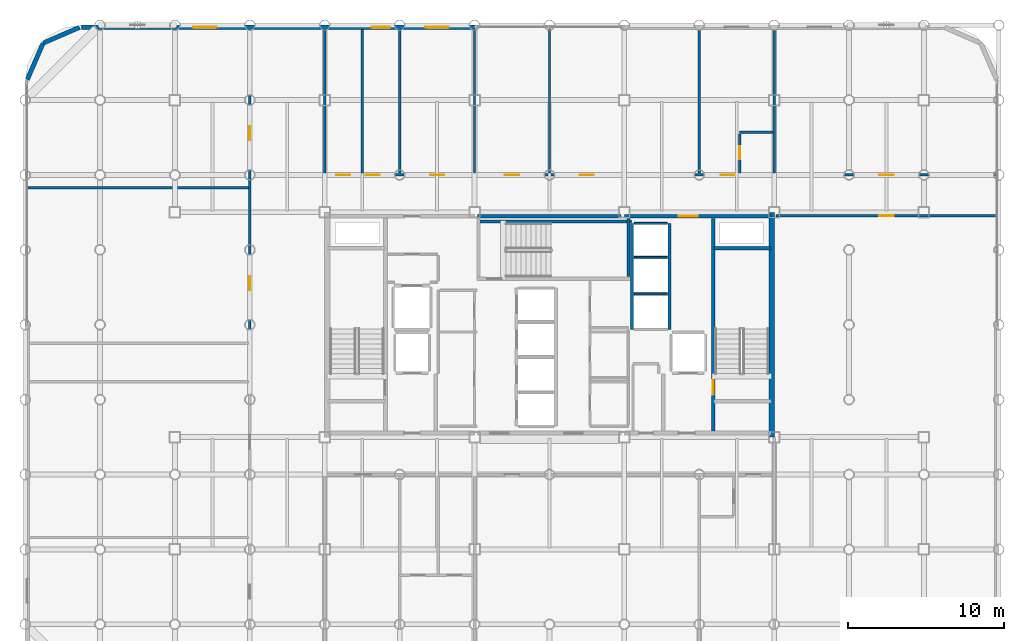
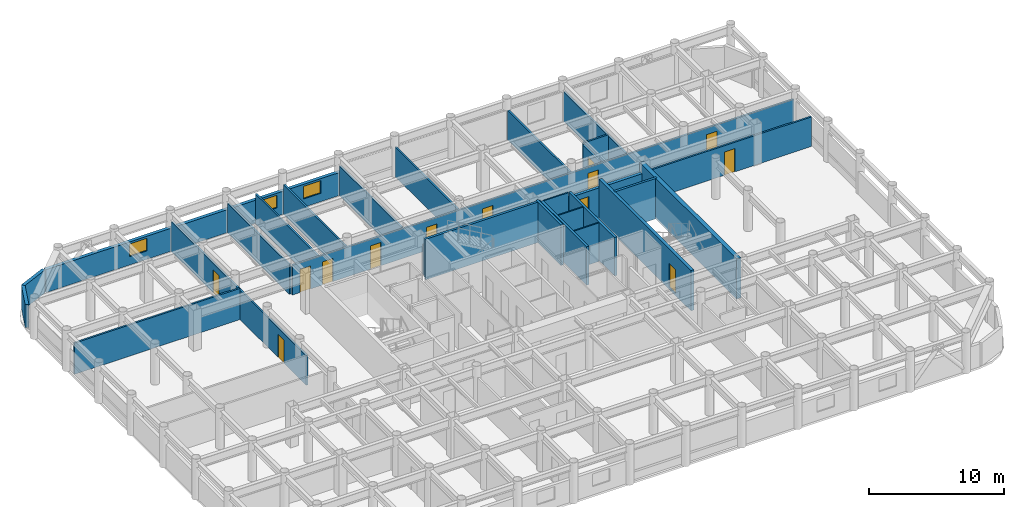
# One storey, part 18 of 20: 28 walls, 13 doors, 3 windows, 16 openings.
"""IFC4 building model written with IfcOpenShell, lengths in metres."""

from ifc_helpers import new_model, si_unit, direction, frame, frame_2d, origin, place, context, subcontext, project, spatial, rectangle, extrude, material, layer, layer_set, type_object, element, fill, save


model = new_model("IFC4")

# Units and contexts
model_context = context("Model", 3, precision=1e-05, world=origin(), true_north=direction((0.0, 1.0)))
body_context = subcontext(model_context, "Body", "Model", "MODEL_VIEW")
ifc_project = project(units=[si_unit("LENGTHUNIT", "METRE"), si_unit("AREAUNIT", "SQUARE_METRE"), si_unit("VOLUMEUNIT", "CUBIC_METRE"), si_unit("PLANEANGLEUNIT", "RADIAN"), si_unit("MASSUNIT", "GRAM", prefix="KILO")], contexts=[model_context])

# Site, building, storey
site_placement = place(None, origin())
site = spatial("IfcSite", under=ifc_project, at=site_placement, CompositionType="ELEMENT")
building_placement = place(site_placement, origin())
building = spatial("IfcBuilding", under=site, at=building_placement, Name="Kallvorn Hotel Tower", CompositionType="ELEMENT")
storey_placement = place(building_placement, frame((0.0, 0.0, 176.60009765625)))
storey = spatial("IfcBuildingStorey", under=building, at=storey_placement, Name="L44", CompositionType="ELEMENT", Elevation=176.60009765625)

# Wall
ifc_material_1 = material(Name="Concrete C50/60", Category="concrete")
ifc_layer_1 = layer(ifc_material_1, 0.35009765625)
ifc_layer_set_1 = layer_set([ifc_layer_1], Name="WL_CORE_350")
wall_type_1 = type_object("IfcWallType", Name="WL_CORE_350", PredefinedType="SHEAR", material=ifc_layer_set_1)
wall_1_placement = place(storey_placement, frame((14.239990234375, -7.199951171875, -0.18017578125), z_axis=(0.0, 0.0, 1.0), x_axis=(0.0, 1.0, 0.0)))
element("IfcWall", 1, at=wall_1_placement, inside=storey, type_object=wall_type_1, Name="L44 Core East Shear Wall", PredefinedType="SHEAR", context=body_context, shape_type="SweptSolid", body=[
    extrude(rectangle(XDim=14.39990234375, YDim=0.35009765625, at=frame_2d((7.199951171875, 0.0))), origin(), (0.0, 0.0, 1.0), 3.66015625),
])

# Wall, openings, doors
ifc_material_2 = material(Name="Fire-rated double-layer acoustic gypsum drywall EI 60")
ifc_layer_2 = layer(ifc_material_2, 0.159912109375)
ifc_layer_set_2 = layer_set([ifc_layer_2], Name="WL_DEMISE_160")
wall_type_2 = type_object("IfcWallType", Name="WL_DEMISE_160", PredefinedType="PARTITIONING", material=ifc_layer_set_2)
wall_2_placement = place(storey_placement, frame((-14.320068359375, 9.60009765625, 0.0), z_axis=(0.0, 0.0, 1.0), x_axis=(1.0, 0.0, 0.0)))
wall_2 = element("IfcWall", 2, at=wall_2_placement, inside=storey, type_object=wall_type_2, Name="L44 Suite 4403 Standard Twin Room Partition", PredefinedType="PARTITIONING", context=body_context, shape_type="SweptSolid", body=[
    extrude(rectangle(XDim=42.949951171875, YDim=0.159912109375, at=frame_2d((21.47509765625, 0.0))), origin(), (0.0, 0.0, 1.0), 2.679931640625),
])
opening_1_placement = place(wall_2_placement, frame((35.469970703125, 0.0, 0.0)))
opening_1 = element("IfcOpeningElement", 3, at=opening_1_placement, cuts=wall_2, Name="Opening SVD1", PredefinedType="OPENING", context=body_context, shape_type="SweptSolid", body=[
    extrude(rectangle(XDim=0.89990234375, YDim=2.10009765625, at=frame_2d((0.449951171875, 1.050048828125))), frame((0.0, 0.094970703125, 0.0), z_axis=(0.0, -1.0, 0.0), x_axis=(1.0, 0.0, 0.0)), (0.0, 0.0, 1.0), 0.18994140625),
])
opening_2_placement = place(wall_2_placement, frame((0.669921875, 0.0, 0.0)))
opening_2 = element("IfcOpeningElement", 4, at=opening_2_placement, cuts=wall_2, Name="Opening SVD1", PredefinedType="OPENING", context=body_context, shape_type="SweptSolid", body=[
    extrude(rectangle(XDim=0.89990234375, YDim=2.10009765625, at=frame_2d((0.449951171875, 1.050048828125))), frame((0.0, 0.094970703125, 0.0), z_axis=(0.0, -1.0, 0.0), x_axis=(1.0, 0.0, 0.0)), (0.0, 0.0, 1.0), 0.18994140625),
])
opening_3_placement = place(wall_2_placement, frame((2.56005859375, 0.0, 0.0)))
opening_3 = element("IfcOpeningElement", 5, at=opening_3_placement, cuts=wall_2, Name="Opening SVD1", PredefinedType="OPENING", context=body_context, shape_type="SweptSolid", body=[
    extrude(rectangle(XDim=0.89990234375, YDim=2.10009765625, at=frame_2d((0.449951171875, 1.050048828125))), frame((0.0, 0.094970703125, 0.0), z_axis=(0.0, -1.0, 0.0), x_axis=(1.0, 0.0, 0.0)), (0.0, 0.0, 1.0), 0.18994140625),
])
opening_4_placement = place(wall_2_placement, frame((6.669921875, 0.0, 0.0)))
opening_4 = element("IfcOpeningElement", 6, at=opening_4_placement, cuts=wall_2, Name="Opening SVD1", PredefinedType="OPENING", context=body_context, shape_type="SweptSolid", body=[
    extrude(rectangle(XDim=0.89990234375, YDim=2.10009765625, at=frame_2d((0.449951171875, 1.050048828125))), frame((0.0, 0.094970703125, 0.0), z_axis=(0.0, -1.0, 0.0), x_axis=(1.0, 0.0, 0.0)), (0.0, 0.0, 1.0), 0.18994140625),
])
opening_5_placement = place(wall_2_placement, frame((11.469970703125, 0.0, 0.0)))
opening_5 = element("IfcOpeningElement", 7, at=opening_5_placement, cuts=wall_2, Name="Opening SVD1", PredefinedType="OPENING", context=body_context, shape_type="SweptSolid", body=[
    extrude(rectangle(XDim=0.89990234375, YDim=2.10009765625, at=frame_2d((0.449951171875, 1.050048828125))), frame((0.0, 0.094970703125, 0.0), z_axis=(0.0, -1.0, 0.0), x_axis=(1.0, 0.0, 0.0)), (0.0, 0.0, 1.0), 0.18994140625),
])
opening_6_placement = place(wall_2_placement, frame((16.27001953125, 0.0, 0.0)))
opening_6 = element("IfcOpeningElement", 8, at=opening_6_placement, cuts=wall_2, Name="Opening SVD1", PredefinedType="OPENING", context=body_context, shape_type="SweptSolid", body=[
    extrude(rectangle(XDim=0.89990234375, YDim=2.10009765625, at=frame_2d((0.449951171875, 1.050048828125))), frame((0.0, 0.094970703125, 0.0), z_axis=(0.0, -1.0, 0.0), x_axis=(1.0, 0.0, 0.0)), (0.0, 0.0, 1.0), 0.18994140625),
])
opening_7_placement = place(wall_2_placement, frame((25.2900390625, 0.0, 0.0)))
opening_7 = element("IfcOpeningElement", 9, at=opening_7_placement, cuts=wall_2, Name="Opening GD1", PredefinedType="OPENING", context=body_context, shape_type="SweptSolid", body=[
    extrude(rectangle(XDim=0.919921875, YDim=2.14990234375, at=frame_2d((0.4599609375, 1.074951171875))), frame((0.0, 0.094970703125, 0.0), z_axis=(0.0, -1.0, 0.0), x_axis=(1.0, 0.0, 0.0)), (0.0, 0.0, 1.0), 0.18994140625),
])
ifc_material_3 = material(Name="Solid-core walnut veneer fire-rated timber door leaf", Category="wood")
door_type_1 = type_object("IfcDoorType", Name="DR_GUEST_920x2150", OperationType="NOTDEFINED", PredefinedType="DOOR", material=ifc_material_3)
door_1_placement = place(opening_7_placement, origin())
door_1 = element("IfcDoor", 10, at=door_1_placement, inside=storey, type_object=door_type_1, Name="L44 Suite 4403 Standard Twin Room Door", OperationType="SINGLE_SWING_LEFT", OverallHeight=2.14990234375, OverallWidth=0.919921875, PredefinedType="DOOR", context=body_context, shape_type="SweptSolid", body=[
    extrude(rectangle(XDim=0.919921875, YDim=2.14990234375, at=frame_2d((0.4599609375, 1.074951171875))), frame((0.0, 0.02490234375, 0.0), z_axis=(0.0, -1.0, 0.0), x_axis=(1.0, 0.0, 0.0)), (0.0, 0.0, 1.0), 0.050048828125),
])
fill(opening_7, door_1)
ifc_material_4 = material(Name="Galvanised painted steel fire-rated door assembly", Category="steel")
door_type_2 = type_object("IfcDoorType", Name="DR_SERV_900x2100", OperationType="NOTDEFINED", PredefinedType="DOOR", material=ifc_material_4)
door_2_placement = place(opening_1_placement, origin())
door_2 = element("IfcDoor", 11, at=door_2_placement, inside=storey, type_object=door_type_2, Name="L44 L44 North-East Monserrate Banquet Hall Door", OperationType="SINGLE_SWING_LEFT", OverallHeight=2.10009765625, OverallWidth=0.89990234375, PredefinedType="DOOR", context=body_context, shape_type="SweptSolid", body=[
    extrude(rectangle(XDim=0.89990234375, YDim=2.10009765625, at=frame_2d((0.449951171875, 1.050048828125))), frame((0.0, 0.02490234375, 0.0), z_axis=(0.0, -1.0, 0.0), x_axis=(1.0, 0.0, 0.0)), (0.0, 0.0, 1.0), 0.050048828125),
])
fill(opening_1, door_2)
door_3_placement = place(opening_2_placement, origin())
door_3 = element("IfcDoor", 12, at=door_3_placement, inside=storey, type_object=door_type_2, Name="L44 Housekeeping and Linen Room Door", OperationType="SINGLE_SWING_RIGHT", OverallHeight=2.10009765625, OverallWidth=0.89990234375, PredefinedType="DOOR", context=body_context, shape_type="SweptSolid", body=[
    extrude(rectangle(XDim=0.89990234375, YDim=2.10009765625, at=frame_2d((0.449951171875, 1.050048828125))), frame((0.0, 0.02490234375, 0.0), z_axis=(0.0, -1.0, 0.0), x_axis=(1.0, 0.0, 0.0)), (0.0, 0.0, 1.0), 0.050048828125),
])
fill(opening_2, door_3)
door_4_placement = place(opening_3_placement, origin())
door_4 = element("IfcDoor", 13, at=door_4_placement, inside=storey, type_object=door_type_2, Name="L44 Guest Tea and Refreshment Bar Door", OperationType="SINGLE_SWING_RIGHT", OverallHeight=2.10009765625, OverallWidth=0.89990234375, PredefinedType="DOOR", context=body_context, shape_type="SweptSolid", body=[
    extrude(rectangle(XDim=0.89990234375, YDim=2.10009765625, at=frame_2d((0.449951171875, 1.050048828125))), frame((0.0, 0.02490234375, 0.0), z_axis=(0.0, -1.0, 0.0), x_axis=(1.0, 0.0, 0.0)), (0.0, 0.0, 1.0), 0.050048828125),
])
fill(opening_3, door_4)
door_5_placement = place(opening_4_placement, origin())
door_5 = element("IfcDoor", 14, at=door_5_placement, inside=storey, type_object=door_type_2, Name="L44 L44 Restaurant Culinary Catering Kitchen 2-1 Door", OperationType="SINGLE_SWING_RIGHT", OverallHeight=2.10009765625, OverallWidth=0.89990234375, PredefinedType="DOOR", context=body_context, shape_type="SweptSolid", body=[
    extrude(rectangle(XDim=0.89990234375, YDim=2.10009765625, at=frame_2d((0.449951171875, 1.050048828125))), frame((0.0, 0.02490234375, 0.0), z_axis=(0.0, -1.0, 0.0), x_axis=(1.0, 0.0, 0.0)), (0.0, 0.0, 1.0), 0.050048828125),
])
fill(opening_4, door_5)
door_6_placement = place(opening_5_placement, origin())
door_6 = element("IfcDoor", 15, at=door_6_placement, inside=storey, type_object=door_type_2, Name="L44 L44 Restaurant Culinary Catering Kitchen 2-2 Door", OperationType="SINGLE_SWING_RIGHT", OverallHeight=2.10009765625, OverallWidth=0.89990234375, PredefinedType="DOOR", context=body_context, shape_type="SweptSolid", body=[
    extrude(rectangle(XDim=0.89990234375, YDim=2.10009765625, at=frame_2d((0.449951171875, 1.050048828125))), frame((0.0, 0.02490234375, 0.0), z_axis=(0.0, -1.0, 0.0), x_axis=(1.0, 0.0, 0.0)), (0.0, 0.0, 1.0), 0.050048828125),
])
fill(opening_5, door_6)
door_7_placement = place(opening_6_placement, origin())
door_7 = element("IfcDoor", 16, at=door_7_placement, inside=storey, type_object=door_type_2, Name="L44 L44 Curated Emerald Craft Retail Boutique 3 Door", OperationType="SINGLE_SWING_RIGHT", OverallHeight=2.10009765625, OverallWidth=0.89990234375, PredefinedType="DOOR", context=body_context, shape_type="SweptSolid", body=[
    extrude(rectangle(XDim=0.89990234375, YDim=2.10009765625, at=frame_2d((0.449951171875, 1.050048828125))), frame((0.0, 0.02490234375, 0.0), z_axis=(0.0, -1.0, 0.0), x_axis=(1.0, 0.0, 0.0)), (0.0, 0.0, 1.0), 0.050048828125),
])
fill(opening_6, door_7)

# Walls
wall_3_placement = place(storey_placement, frame((12.18994140625, 12.320068359375, 0.0), z_axis=(0.0, 0.0, 1.0), x_axis=(1.0, 0.0, 0.0)))
element("IfcWall", 17, at=wall_3_placement, inside=storey, type_object=wall_type_2, Name="L44 Suite 4403 Standard Twin Room Partition", PredefinedType="PARTITIONING", context=body_context, shape_type="SweptSolid", body=[
    extrude(rectangle(XDim=2.130126953125, YDim=0.159912109375, at=frame_2d((1.06494140625, 0.0))), origin(), (0.0, 0.0, 1.0), 2.829833984375),
])
wall_4_placement = place(storey_placement, frame((9.60009765625, 9.719970703125, 0.0), z_axis=(0.0, 0.0, 1.0), x_axis=(0.0, 1.0, 0.0)))
element("IfcWall", 18, at=wall_4_placement, inside=storey, type_object=wall_type_2, Name="L44 Suite 4403 Standard Twin Room Partition", PredefinedType="PARTITIONING", context=body_context, shape_type="SweptSolid", body=[
    extrude(rectangle(XDim=9.18994140625, YDim=0.159912109375, at=frame_2d((4.594970703125, 0.0))), origin(), (0.0, 0.0, 1.0), 2.679931640625),
])

# Wall, opening, door
wall_5_placement = place(storey_placement, frame((12.18994140625, 9.719970703125, 0.0), z_axis=(0.0, 0.0, 1.0), x_axis=(0.0, 1.0, 0.0)))
wall_5 = element("IfcWall", 19, at=wall_5_placement, inside=storey, type_object=wall_type_2, Name="L44 Suite 4403 Standard Twin Room Partition", PredefinedType="PARTITIONING", context=body_context, shape_type="SweptSolid", body=[
    extrude(rectangle(XDim=2.51513671875, YDim=0.159912109375, at=frame_2d((1.257568359375, 0.0))), origin(), (0.0, 0.0, 1.0), 2.679931640625),
])
opening_8_placement = place(wall_5_placement, frame((0.8701171875, 0.0, 0.0)))
opening_8 = element("IfcOpeningElement", 20, at=opening_8_placement, cuts=wall_5, Name="Opening BD-I", PredefinedType="OPENING", context=body_context, shape_type="SweptSolid", body=[
    extrude(rectangle(XDim=0.860107421875, YDim=2.10009765625, at=frame_2d((0.43017578125, 1.050048828125))), frame((0.0, 0.094970703125, 0.0), z_axis=(0.0, -1.0, 0.0), x_axis=(1.0, 0.0, 0.0)), (0.0, 0.0, 1.0), 0.18994140625),
])
ifc_material_5 = material(Name="Solid-core walnut veneer fire-rated timber door leaf", Category="wood")
door_type_3 = type_object("IfcDoorType", Name="DR_BATH_860x2100", OperationType="NOTDEFINED", PredefinedType="DOOR", material=ifc_material_5)
door_8_placement = place(opening_8_placement, origin())
door_8 = element("IfcDoor", 21, at=door_8_placement, inside=storey, type_object=door_type_3, Name="L44 Suite 4403 En-Suite Bathroom Door", OperationType="SINGLE_SWING_LEFT", OverallHeight=2.10009765625, OverallWidth=0.860107421875, PredefinedType="DOOR", context=body_context, shape_type="SweptSolid", body=[
    extrude(rectangle(XDim=0.860107421875, YDim=2.10009765625, at=frame_2d((0.43017578125, 1.050048828125))), frame((0.0, 0.02490234375, 0.0), z_axis=(0.0, -1.0, 0.0), x_axis=(1.0, 0.0, 0.0)), (0.0, 0.0, 1.0), 0.050048828125),
])
fill(opening_8, door_8)

# Walls
wall_6_placement = place(storey_placement, frame((14.39990234375, 9.719970703125, 0.0), z_axis=(0.0, 0.0, 1.0), x_axis=(0.0, 1.0, 0.0)))
element("IfcWall", 22, at=wall_6_placement, inside=storey, type_object=wall_type_2, Name="L44 Suite 4403 Standard Twin Room Partition", PredefinedType="PARTITIONING", context=body_context, shape_type="SweptSolid", body=[
    extrude(rectangle(XDim=9.18994140625, YDim=0.159912109375, at=frame_2d((4.594970703125, 0.0))), origin(), (0.0, 0.0, 1.0), 2.679931640625),
])
ifc_material_6 = material(Name="Precast basalt-clad insulated concrete wall C40/50", Category="masonry")
ifc_layer_3 = layer(ifc_material_6, 0.280029296875)
ifc_layer_set_3 = layer_set([ifc_layer_3], Name="WL_EXT_LOGGIA_280")
wall_type_3 = type_object("IfcWallType", Name="WL_EXT_LOGGIA_280", PredefinedType="SOLIDWALL", material=ifc_layer_set_3)
wall_7_placement = place(storey_placement, frame((-30.120849609375, 19.057861328125, 0.0), z_axis=(0.0, 0.0, 1.0), x_axis=(-0.917060872934, -0.398747232384, 0.0)))
element("IfcWall", 23, at=wall_7_placement, inside=storey, type_object=wall_type_3, Name="L44 Rounded Corner Exterior Wall NW1", PredefinedType="SOLIDWALL", context=body_context, shape_type="SweptSolid", body=[
    extrude(rectangle(XDim=2.5361328125, YDim=0.280029296875, at=frame_2d((1.26806640625, 0.0))), origin(), (0.0, 0.0, 1.0), 2.079833984375),
])
wall_8_placement = place(storey_placement, frame((-32.446533203125, 18.046630859375, 0.0), z_axis=(0.0, 0.0, 1.0), x_axis=(-0.398792985289, -0.917040977756, 0.0)))
element("IfcWall", 24, at=wall_8_placement, inside=storey, type_object=wall_type_3, Name="L44 Rounded Corner Exterior Wall NW2", PredefinedType="SOLIDWALL", context=body_context, shape_type="SweptSolid", body=[
    extrude(rectangle(XDim=2.536376953125, YDim=0.280029296875, at=frame_2d((1.26806640625, 0.0))), origin(), (0.0, 0.0, 1.0), 2.079833984375),
])

# Wall, openings, windows
wall_9_placement = place(storey_placement, frame((-30.0, 19.06005859375, 0.0), z_axis=(0.0, 0.0, 1.0), x_axis=(1.0, 0.0, 0.0)))
wall_9 = element("IfcWall", 25, at=wall_9_placement, inside=storey, type_object=wall_type_3, Name="L44 Exterior Envelope Wall EW-L44-NW", PredefinedType="SOLIDWALL", context=body_context, shape_type="SweptSolid", body=[
    extrude(rectangle(XDim=25.25, YDim=0.280029296875, at=frame_2d((12.625, 0.0))), origin(), (0.0, 0.0, 1.0), 2.079833984375),
])
opening_9_placement = place(wall_9_placement, frame((7.1630859375, 0.0, 0.75)))
opening_9 = element("IfcOpeningElement", 26, at=opening_9_placement, cuts=wall_9, Name="Opening W05A", PredefinedType="OPENING", context=body_context, shape_type="SweptSolid", body=[
    extrude(rectangle(XDim=1.5, YDim=1.14990234375, at=frame_2d((0.75, 0.574951171875))), frame((0.0, 0.155029296875, 0.0), z_axis=(0.0, -1.0, 0.0), x_axis=(1.0, 0.0, 0.0)), (0.0, 0.0, 1.0), 0.31005859375),
])
opening_10_placement = place(wall_9_placement, frame((18.60009765625, 0.0, 0.75)))
opening_10 = element("IfcOpeningElement", 27, at=opening_10_placement, cuts=wall_9, Name="Opening W06A", PredefinedType="OPENING", context=body_context, shape_type="SweptSolid", body=[
    extrude(rectangle(XDim=1.199951171875, YDim=1.14990234375, at=frame_2d((0.60009765625, 0.574951171875))), frame((0.0, 0.155029296875, 0.0), z_axis=(0.0, -1.0, 0.0), x_axis=(1.0, 0.0, 0.0)), (0.0, 0.0, 1.0), 0.31005859375),
])
opening_11_placement = place(wall_9_placement, frame((22.050048828125, 0.0, 0.75)))
opening_11 = element("IfcOpeningElement", 28, at=opening_11_placement, cuts=wall_9, Name="Opening W05A", PredefinedType="OPENING", context=body_context, shape_type="SweptSolid", body=[
    extrude(rectangle(XDim=1.5, YDim=1.14990234375, at=frame_2d((0.75, 0.574951171875))), frame((0.0, 0.155029296875, 0.0), z_axis=(0.0, -1.0, 0.0), x_axis=(1.0, 0.0, 0.0)), (0.0, 0.0, 1.0), 0.31005859375),
])
ifc_material_7 = material(Name="Triple-glazed low-e acoustic solar-control dark glass", Category="glass")
window_type_1 = type_object("IfcWindowType", Name="WN_HTL_1200x1150", PartitioningType="SINGLE_PANEL", PredefinedType="WINDOW", material=ifc_material_7)
window_1_placement = place(opening_10_placement, origin())
window_1 = element("IfcWindow", 29, at=window_1_placement, inside=storey, type_object=window_type_1, Name="L44 Guestroom Exterior Window 09", OverallHeight=1.14990234375, OverallWidth=1.199951171875, PartitioningType="SINGLE_PANEL", PredefinedType="WINDOW", context=body_context, shape_type="SweptSolid", body=[
    extrude(rectangle(XDim=1.199951171875, YDim=1.14990234375, at=frame_2d((0.60009765625, 0.574951171875))), frame((0.0, 0.030029296875, 0.0), z_axis=(0.0, -1.0, 0.0), x_axis=(1.0, 0.0, 0.0)), (0.0, 0.0, 1.0), 0.06005859375),
])
fill(opening_10, window_1)
ifc_material_8 = material(Name="Double-glazed low-e solar-control dark glass", Category="glass")
window_type_2 = type_object("IfcWindowType", Name="WN_HTL_1500x1150", PartitioningType="SINGLE_PANEL", PredefinedType="WINDOW", material=ifc_material_8)
window_2_placement = place(opening_9_placement, origin())
window_2 = element("IfcWindow", 30, at=window_2_placement, inside=storey, type_object=window_type_2, Name="L44 Guestroom Exterior Window 03", OverallHeight=1.14990234375, OverallWidth=1.5, PartitioningType="SINGLE_PANEL", PredefinedType="WINDOW", context=body_context, shape_type="SweptSolid", body=[
    extrude(rectangle(XDim=1.5, YDim=1.14990234375, at=frame_2d((0.75, 0.574951171875))), frame((0.0, 0.030029296875, 0.0), z_axis=(0.0, -1.0, 0.0), x_axis=(1.0, 0.0, 0.0)), (0.0, 0.0, 1.0), 0.06005859375),
])
fill(opening_9, window_2)
window_3_placement = place(opening_11_placement, origin())
window_3 = element("IfcWindow", 31, at=window_3_placement, inside=storey, type_object=window_type_2, Name="L44 Guestroom Exterior Window 10", OverallHeight=1.14990234375, OverallWidth=1.5, PartitioningType="SINGLE_PANEL", PredefinedType="WINDOW", context=body_context, shape_type="SweptSolid", body=[
    extrude(rectangle(XDim=1.5, YDim=1.14990234375, at=frame_2d((0.75, 0.574951171875))), frame((0.0, 0.030029296875, 0.0), z_axis=(0.0, -1.0, 0.0), x_axis=(1.0, 0.0, 0.0)), (0.0, 0.0, 1.0), 0.06005859375),
])
fill(opening_11, window_3)

# Walls
ifc_material_9 = material(Name="Concrete C40/50", Category="concrete")
ifc_layer_4 = layer(ifc_material_9, 0.199951171875)
ifc_layer_set_4 = layer_set([ifc_layer_4], Name="WL_HOIST_200")
wall_type_4 = type_object("IfcWallType", Name="WL_HOIST_200", PredefinedType="SOLIDWALL", material=ifc_layer_set_4)
wall_10_placement = place(storey_placement, frame((10.550048828125, 4.89990234375, -0.18017578125), z_axis=(0.0, 0.0, 1.0), x_axis=(1.0, 0.0, 0.0)))
element("IfcWall", 32, at=wall_10_placement, inside=storey, type_object=wall_type_4, Name="L44 Stair ST2 North Wall", PredefinedType="SOLIDWALL", context=body_context, shape_type="SweptSolid", body=[
    extrude(rectangle(XDim=3.64990234375, YDim=0.199951171875, at=frame_2d((1.824951171875, 0.0))), origin(), (0.0, 0.0, 1.0), 3.66015625),
])
wall_11_placement = place(storey_placement, frame((-4.64990234375, 6.610107421875, -0.18017578125), z_axis=(0.0, 0.0, 1.0), x_axis=(1.0, 0.0, 0.0)))
element("IfcWall", 33, at=wall_11_placement, inside=storey, type_object=wall_type_4, Name="L44 Stair ST3 Shaft North Wall", PredefinedType="SOLIDWALL", context=body_context, shape_type="SweptSolid", body=[
    extrude(rectangle(XDim=9.89990234375, YDim=0.199951171875, at=frame_2d((4.949951171875, 0.0))), origin(), (0.0, 0.0, 1.0), 3.66015625),
])
wall_12_placement = place(storey_placement, frame((5.06005859375, 3.080078125, -0.18017578125), z_axis=(0.0, 0.0, 1.0), x_axis=(0.0, 1.0, 0.0)))
element("IfcWall", 34, at=wall_12_placement, inside=storey, type_object=wall_type_4, Name="L44 Stair ST3 East Wall", PredefinedType="SOLIDWALL", context=body_context, shape_type="SweptSolid", body=[
    extrude(rectangle(XDim=3.739990234375, YDim=0.199951171875, at=frame_2d((1.8701171875, 0.0))), origin(), (0.0, 0.0, 1.0), 3.66015625),
])
for number, where, z_axis, x_axis, name in (
    (35, (7.699951171875, -0.300048828125, 0.0), (0.0, 0.0, 1.0), (0.0, 1.0, 0.0), "L44 Lift Bank OBS Landing Wall"),
    (36, (5.300048828125, -0.300048828125, 0.0), (0.0, 0.0, 1.0), (0.0, 1.0, 0.0), "L44 Lift Bank OBS Rear Shaft Wall"),
):
    element("IfcWall", number, at=place(storey_placement, frame(where, z_axis=z_axis, x_axis=x_axis)), inside=storey, type_object=wall_type_4, Name=name, PredefinedType="SOLIDWALL", context=body_context, shape_type="SweptSolid", body=[
        extrude(rectangle(XDim=6.800048828125, YDim=0.199951171875, at=frame_2d((3.39990234375, 0.0))), origin(), (0.0, 0.0, 1.0), 3.47998046875),
    ])
ifc_material_10 = material(Name="Fire-rated double-layer acoustic gypsum drywall EI 60")
ifc_layer_5 = layer(ifc_material_10, 0.1201171875)
ifc_layer_set_5 = layer_set([ifc_layer_5], Name="WL_INT_120")
wall_type_5 = type_object("IfcWallType", Name="WL_INT_120", PredefinedType="PARTITIONING", material=ifc_layer_set_5)
for number, where, z_axis, x_axis, name in (
    (37, (5.43994140625, 1.97509765625, 0.0), (0.0, 0.0, 1.0), (1.0, 0.0, 0.0), "L44 OB-01 Hoistway Divider"),
    (38, (5.43994140625, 4.324951171875, 0.0), (0.0, 0.0, 1.0), (1.0, 0.0, 0.0), "L44 OB-02 Hoistway Divider"),
    (39, (5.43994140625, 6.5, 0.0), (0.0, 0.0, 1.0), (1.0, 0.0, 0.0), "L44 OB-03 Hoistway Divider"),
):
    element("IfcWall", number, at=place(storey_placement, frame(where, z_axis=z_axis, x_axis=x_axis)), inside=storey, type_object=wall_type_5, Name=name, PredefinedType="PARTITIONING", context=body_context, shape_type="SweptSolid", body=[
        extrude(rectangle(XDim=2.1201171875, YDim=0.1201171875, at=frame_2d((1.06005859375, 0.0))), origin(), (0.0, 0.0, 1.0), 3.47998046875),
    ])

# Wall, opening, door
ifc_material_11 = material(Name="Fire-rated double-layer acoustic gypsum drywall EI 60")
ifc_layer_6 = layer(ifc_material_11, 0.14990234375)
ifc_layer_set_6 = layer_set([ifc_layer_6], Name="WL_PART_150")
wall_type_6 = type_object("IfcWallType", Name="WL_PART_150", PredefinedType="PARTITIONING", material=ifc_layer_set_6)
wall_13_placement = place(storey_placement, frame((14.52001953125, 6.97998046875, 0.0), z_axis=(0.0, 0.0, 1.0), x_axis=(1.0, 0.0, 0.0)))
wall_13 = element("IfcWall", 40, at=wall_13_placement, inside=storey, type_object=wall_type_6, Name="L44 L44 South-East Sommelier Wine Bar Partition", PredefinedType="PARTITIONING", context=body_context, shape_type="SweptSolid", body=[
    extrude(rectangle(XDim=14.10986328125, YDim=0.14990234375, at=frame_2d((7.054931640625, 0.0))), origin(), (0.0, 0.0, 1.0), 2.679931640625),
])
opening_12_placement = place(wall_13_placement, frame((6.6298828125, 0.0, 0.0)))
opening_12 = element("IfcOpeningElement", 41, at=opening_12_placement, cuts=wall_13, Name="Opening SVD1", PredefinedType="OPENING", context=body_context, shape_type="SweptSolid", body=[
    extrude(rectangle(XDim=0.89990234375, YDim=2.10009765625, at=frame_2d((0.449951171875, 1.050048828125))), frame((0.0, 0.08984375, 0.0), z_axis=(0.0, -1.0, 0.0), x_axis=(1.0, 0.0, 0.0)), (0.0, 0.0, 1.0), 0.179931640625),
])
door_9_placement = place(opening_12_placement, origin())
door_9 = element("IfcDoor", 42, at=door_9_placement, inside=storey, type_object=door_type_2, Name="L44 L44 South-East Sommelier Wine Bar Door", OperationType="SINGLE_SWING_LEFT", OverallHeight=2.10009765625, OverallWidth=0.89990234375, PredefinedType="DOOR", context=body_context, shape_type="SweptSolid", body=[
    extrude(rectangle(XDim=0.89990234375, YDim=2.10009765625, at=frame_2d((0.449951171875, 1.050048828125))), frame((0.0, 0.02490234375, 0.0), z_axis=(0.0, -1.0, 0.0), x_axis=(1.0, 0.0, 0.0)), (0.0, 0.0, 1.0), 0.050048828125),
])
fill(opening_12, door_9)

# Wall
wall_14_placement = place(storey_placement, frame((-33.429931640625, 8.784912109375, 0.0), z_axis=(0.0, 0.0, 1.0), x_axis=(1.0, 0.0, 0.0)))
element("IfcWall", 43, at=wall_14_placement, inside=storey, type_object=wall_type_6, Name="L44 L44 North-West Facade Fitness Gymnasium Partition", PredefinedType="PARTITIONING", context=body_context, shape_type="SweptSolid", body=[
    extrude(rectangle(XDim=14.14990234375, YDim=0.14990234375, at=frame_2d((7.074951171875, 0.0))), origin(), (0.0, 0.0, 1.0), 2.829833984375),
])

# Wall, openings, doors
wall_15_placement = place(storey_placement, frame((-19.199951171875, -1.094970703125, 0.0), z_axis=(0.0, 0.0, 1.0), x_axis=(0.0, 1.0, 0.0)))
wall_15 = element("IfcWall", 44, at=wall_15_placement, inside=storey, type_object=wall_type_6, Name="L44 L44 North-West Spine Pastry Cafe Partition", PredefinedType="PARTITIONING", context=body_context, shape_type="SweptSolid", body=[
    extrude(rectangle(XDim=20.0048828125, YDim=0.14990234375, at=frame_2d((10.00244140625, 0.0))), origin(), (0.0, 0.0, 1.0), 2.679931640625),
])
opening_13_placement = place(wall_15_placement, frame((3.291259765625, 0.0, 0.0)))
opening_13 = element("IfcOpeningElement", 45, at=opening_13_placement, cuts=wall_15, Name="Opening SVD1", PredefinedType="OPENING", context=body_context, shape_type="SweptSolid", body=[
    extrude(rectangle(XDim=0.89990234375, YDim=2.10009765625, at=frame_2d((0.449951171875, 1.050048828125))), frame((0.0, 0.08984375, 0.0), z_axis=(0.0, -1.0, 0.0), x_axis=(1.0, 0.0, 0.0)), (0.0, 0.0, 1.0), 0.179931640625),
])
opening_14_placement = place(wall_15_placement, frame((12.90869140625, 0.0, 0.0)))
opening_14 = element("IfcOpeningElement", 46, at=opening_14_placement, cuts=wall_15, Name="Opening SVD1", PredefinedType="OPENING", context=body_context, shape_type="SweptSolid", body=[
    extrude(rectangle(XDim=0.89990234375, YDim=2.10009765625, at=frame_2d((0.449951171875, 1.050048828125))), frame((0.0, 0.08984375, 0.0), z_axis=(0.0, -1.0, 0.0), x_axis=(1.0, 0.0, 0.0)), (0.0, 0.0, 1.0), 0.179931640625),
])
door_10_placement = place(opening_13_placement, origin())
door_10 = element("IfcDoor", 47, at=door_10_placement, inside=storey, type_object=door_type_2, Name="L44 L44 North-West Spine Pastry Cafe Door", OperationType="SINGLE_SWING_LEFT", OverallHeight=2.10009765625, OverallWidth=0.89990234375, PredefinedType="DOOR", context=body_context, shape_type="SweptSolid", body=[
    extrude(rectangle(XDim=0.89990234375, YDim=2.10009765625, at=frame_2d((0.449951171875, 1.050048828125))), frame((0.0, 0.02490234375, 0.0), z_axis=(0.0, -1.0, 0.0), x_axis=(1.0, 0.0, 0.0)), (0.0, 0.0, 1.0), 0.050048828125),
])
fill(opening_13, door_10)
door_11_placement = place(opening_14_placement, origin())
door_11 = element("IfcDoor", 48, at=door_11_placement, inside=storey, type_object=door_type_2, Name="L44 L44 North-West Facade Fitness Gymnasium Door", OperationType="SINGLE_SWING_LEFT", OverallHeight=2.10009765625, OverallWidth=0.89990234375, PredefinedType="DOOR", context=body_context, shape_type="SweptSolid", body=[
    extrude(rectangle(XDim=0.89990234375, YDim=2.10009765625, at=frame_2d((0.449951171875, 1.050048828125))), frame((0.0, 0.02490234375, 0.0), z_axis=(0.0, -1.0, 0.0), x_axis=(1.0, 0.0, 0.0)), (0.0, 0.0, 1.0), 0.050048828125),
])
fill(opening_14, door_11)

# Walls
for number, where, z_axis, x_axis, name in (
    (49, (-14.39990234375, 9.719970703125, 0.0), (0.0, 0.0, 1.0), (0.0, 1.0, 0.0), "L44 Housekeeping and Linen Room Partition"),
    (50, (-12.0, 9.719970703125, 0.0), (0.0, 0.0, 1.0), (0.0, 1.0, 0.0), "L44 Guest Tea and Refreshment Bar Partition"),
    (51, (-9.60009765625, 9.719970703125, 0.0), (0.0, 0.0, 1.0), (0.0, 1.0, 0.0), "L44 Guest Tea and Refreshment Bar Partition"),
    (52, (-4.800048828125, 9.719970703125, 0.0), (0.0, 0.0, 1.0), (0.0, 1.0, 0.0), "L44 L44 Restaurant Culinary Catering Kitchen 2-1 Partition"),
):
    element("IfcWall", number, at=place(storey_placement, frame(where, z_axis=z_axis, x_axis=x_axis)), inside=storey, type_object=wall_type_6, Name=name, PredefinedType="PARTITIONING", context=body_context, shape_type="SweptSolid", body=[
        extrude(rectangle(XDim=9.18994140625, YDim=0.14990234375, at=frame_2d((4.594970703125, 0.0))), origin(), (0.0, 0.0, 1.0), 2.679931640625),
    ])
wall_16_placement = place(storey_placement, frame((0.0, 9.719970703125, 0.0), z_axis=(0.0, 0.0, 1.0), x_axis=(0.0, 1.0, 0.0)))
element("IfcWall", 53, at=wall_16_placement, inside=storey, type_object=wall_type_6, Name="L44 L44 Curated Emerald Craft Retail Boutique 3 Partition", PredefinedType="PARTITIONING", context=body_context, shape_type="SweptSolid", body=[
    extrude(rectangle(XDim=9.275146484375, YDim=0.14990234375, at=frame_2d((4.6376953125, 0.0))), origin(), (0.0, 0.0, 1.0), 2.679931640625),
])
ifc_material_12 = material(Name="Concrete C40/50", Category="concrete")
ifc_layer_7 = layer(ifc_material_12, 0.25)
ifc_layer_set_7 = layer_set([ifc_layer_7], Name="WL_SHAFT_250")
wall_type_7 = type_object("IfcWallType", Name="WL_SHAFT_250", PredefinedType="SOLIDWALL", material=ifc_layer_set_7)
wall_17_placement = place(storey_placement, frame((-4.60009765625, 6.949951171875, 0.0), z_axis=(0.0, 0.0, 1.0), x_axis=(1.0, 0.0, 0.0)))
element("IfcWall", 54, at=wall_17_placement, inside=storey, type_object=wall_type_7, Name="L44 Core North-Central Wall", PredefinedType="SOLIDWALL", context=body_context, shape_type="SweptSolid", body=[
    extrude(rectangle(XDim=9.2001953125, YDim=0.25, at=frame_2d((4.60009765625, 0.0))), origin(), (0.0, 0.0, 1.0), 2.679931640625),
])

# Wall, opening, door
wall_18_placement = place(storey_placement, frame((4.800048828125, 6.949951171875, 0.0), z_axis=(0.0, 0.0, 1.0), x_axis=(1.0, 0.0, 0.0)))
wall_18 = element("IfcWall", 55, at=wall_18_placement, inside=storey, type_object=wall_type_7, Name="L44 Core North-East Wall", PredefinedType="SOLIDWALL", context=body_context, shape_type="SweptSolid", body=[
    extrude(rectangle(XDim=9.39990234375, YDim=0.25, at=frame_2d((4.699951171875, 0.0))), origin(), (0.0, 0.0, 1.0), 2.679931640625),
])
opening_15_placement = place(wall_18_placement, frame((3.5, 0.0, 0.0)))
opening_15 = element("IfcOpeningElement", 56, at=opening_15_placement, cuts=wall_18, Name="Opening FD2", PredefinedType="OPENING", context=body_context, shape_type="SweptSolid", body=[
    extrude(rectangle(XDim=1.199951171875, YDim=2.199951171875, at=frame_2d((0.60009765625, 1.10009765625))), frame((0.0, 0.139892578125, 0.0), z_axis=(0.0, -1.0, 0.0), x_axis=(1.0, 0.0, 0.0)), (0.0, 0.0, 1.0), 0.280029296875),
])
ifc_material_13 = material(Name="Galvanised painted steel fire-rated door assembly", Category="steel")
door_type_4 = type_object("IfcDoorType", Name="DR_LOBBY_1200x2200", OperationType="DOUBLE_DOOR_SINGLE_SWING", PredefinedType="DOOR", material=ifc_material_13)
door_12_placement = place(opening_15_placement, origin())
door_12 = element("IfcDoor", 57, at=door_12_placement, inside=storey, type_object=door_type_4, Name="L44 Observatory Shuttle Lobby Door", OperationType="DOUBLE_DOOR_SINGLE_SWING", OverallHeight=2.199951171875, OverallWidth=1.199951171875, PredefinedType="DOOR", context=body_context, shape_type="SweptSolid", body=[
    extrude(rectangle(XDim=1.199951171875, YDim=2.199951171875, at=frame_2d((0.60009765625, 1.10009765625))), frame((0.0, 0.02490234375, 0.0), z_axis=(0.0, -1.0, 0.0), x_axis=(1.0, 0.0, 0.0)), (0.0, 0.0, 1.0), 0.050048828125),
])
fill(opening_15, door_12)

wall_19_placement = place(storey_placement, frame((10.5, -6.820068359375, -0.18017578125), z_axis=(0.0, 0.0, 1.0), x_axis=(0.0, 1.0, 0.0)))
wall_19 = element("IfcWall", 58, at=wall_19_placement, inside=storey, type_object=wall_type_7, Name="L44 Stair ST2 Shaft Wall", PredefinedType="SOLIDWALL", context=body_context, shape_type="SweptSolid", body=[
    extrude(rectangle(XDim=13.64013671875, YDim=0.25, at=frame_2d((6.820068359375, 0.0))), origin(), (0.0, 0.0, 1.0), 3.66015625),
])
opening_16_placement = place(wall_19_placement, frame((2.320068359375, 0.0, 0.179931640625)))
opening_16 = element("IfcOpeningElement", 59, at=opening_16_placement, cuts=wall_19, Name="Opening SD1", PredefinedType="OPENING", context=body_context, shape_type="SweptSolid", body=[
    extrude(rectangle(XDim=0.949951171875, YDim=2.14990234375, at=frame_2d((0.47509765625, 1.074951171875))), frame((0.0, 0.139892578125, 0.0), z_axis=(0.0, -1.0, 0.0), x_axis=(1.0, 0.0, 0.0)), (0.0, 0.0, 1.0), 0.280029296875),
])
ifc_material_14 = material(Name="Galvanised painted steel fire-rated door assembly", Category="steel")
door_type_5 = type_object("IfcDoorType", Name="DR_STAIR_950x2150", OperationType="NOTDEFINED", PredefinedType="DOOR", material=ifc_material_14)
door_13_placement = place(opening_16_placement, origin())
door_13 = element("IfcDoor", 60, at=door_13_placement, inside=storey, type_object=door_type_5, Name="L44 Exit Stair ST2 Fire Door", OperationType="SINGLE_SWING_RIGHT", OverallHeight=2.14990234375, OverallWidth=0.949951171875, PredefinedType="DOOR", context=body_context, shape_type="SweptSolid", body=[
    extrude(rectangle(XDim=0.949951171875, YDim=2.14990234375, at=frame_2d((0.47509765625, 1.074951171875))), frame((0.0, 0.02490234375, 0.0), z_axis=(0.0, -1.0, 0.0), x_axis=(1.0, 0.0, 0.0)), (0.0, 0.0, 1.0), 0.050048828125),
])
fill(opening_16, door_13)

save(model, "model.ifc")
